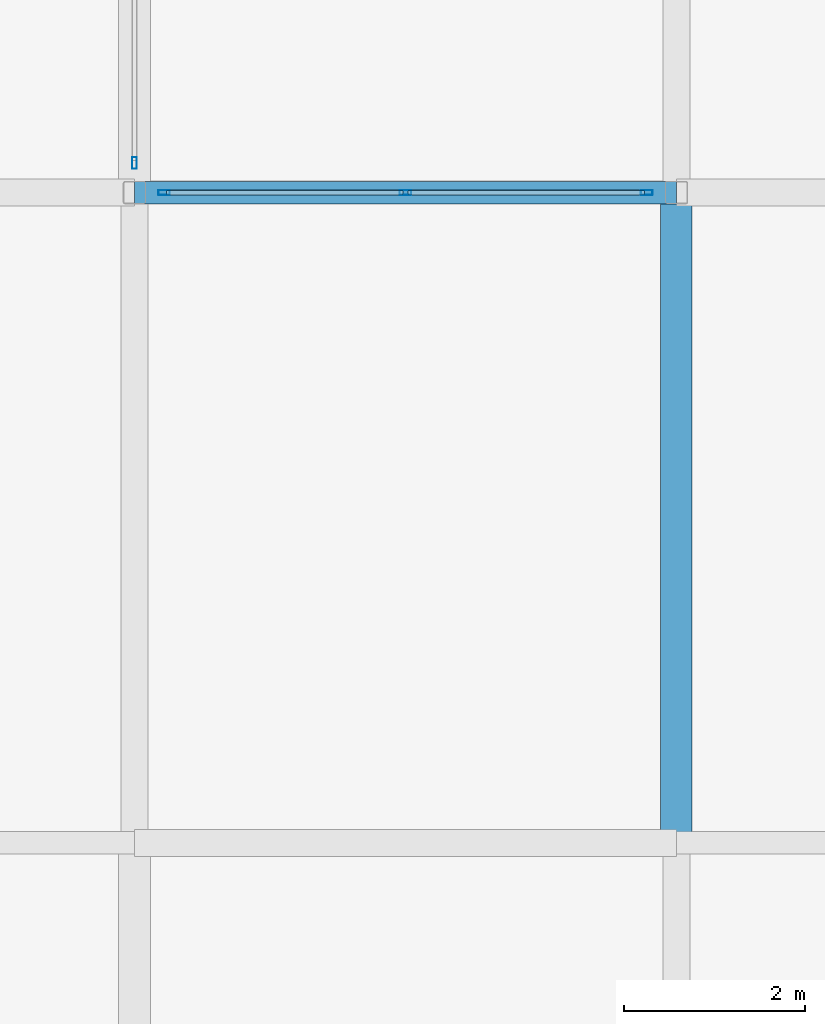
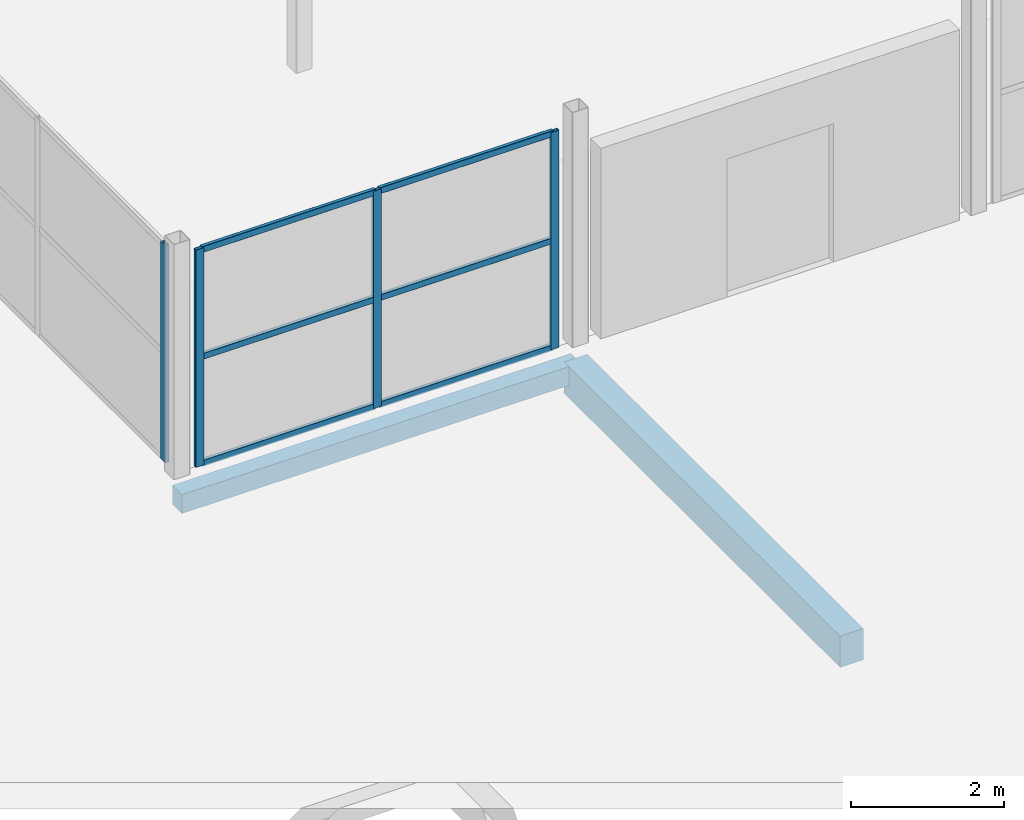
# One storey, part 28 of 239: 10 members, 2 beams, 2 elements without a shape of their own.
"""IFC4 building model written with IfcOpenShell, lengths in metres."""

from ifc_helpers import new_model, si_unit, direction, frame, origin, origin_2d, place, context, subcontext, project, spatial, rectangle, hollow_rectangle, extrude, material, layer, layer_set, material_profile, profile_set, type_object, element, aggregate, save


model = new_model("IFC4")

# Units and contexts
model_context = context("Model", 3, precision=1e-05, world=origin(), true_north=direction((0.0, 1.0)))
body_context = subcontext(model_context, "Body", "Model", "MODEL_VIEW")
ifc_project = project(units=[si_unit("LENGTHUNIT", "METRE"), si_unit("AREAUNIT", "SQUARE_METRE"), si_unit("VOLUMEUNIT", "CUBIC_METRE"), si_unit("PLANEANGLEUNIT", "RADIAN"), si_unit("MASSUNIT", "GRAM", prefix="KILO")], contexts=[model_context])

# Site, building, storey
site_placement = place(None, origin())
site = spatial("IfcSite", under=ifc_project, at=site_placement, CompositionType="ELEMENT")
building_placement = place(site_placement, origin())
building = spatial("IfcBuilding", under=site, at=building_placement, Name="Dunvalen Ferry Terminal", CompositionType="ELEMENT")
storey_placement = place(building_placement, frame((0.0, 0.0, 9.840087890625)))
storey = spatial("IfcBuildingStorey", under=building, at=storey_placement, Name="L02", CompositionType="ELEMENT", Elevation=9.840087890625)

# Curtain wall, members
ifc_material_1 = material(Name="Anodised marine aluminium and solar-control glazing", Category="aluminium")
ifc_layer_1 = layer(ifc_material_1, 0.159912109375, Name="Anodised marine aluminium and solar-control glazing")
ifc_layer_set_1 = layer_set([ifc_layer_1], Name="Anodised marine aluminium and solar-control glazing")
curtain_wall_type_1 = type_object("IfcCurtainWallType", Name="ENV-CW-SYS-09", PredefinedType="NOTDEFINED", material=ifc_layer_set_1)
curtain_wall_1_placement = place(storey_placement, origin())
curtain_wall_1 = element("IfcCurtainWall", 1, at=curtain_wall_1_placement, inside=storey, type_object=curtain_wall_type_1, Name="L02 Curtain Wall CW-PAV-S-1", PredefinedType="NOTDEFINED")
ifc_material_2 = material(Name="Anodised marine aluminium EN AW-6063 T6", Category="aluminium")
ifc_material_profile_1 = material_profile(ifc_material_2, hollow_rectangle(XDim=0.054931640625, YDim=0.1298828125, WallThickness=0.003173828125, InnerFilletRadius=0.003173828125, OuterFilletRadius=0.00634765625, at=origin_2d()), Name="Anodised marine aluminium EN AW-6063 T6")
ifc_profile_set_1 = profile_set([ifc_material_profile_1], Name="Anodised marine aluminium EN AW-6063 T6")
member_type_1 = type_object("IfcMemberType", Name="ENV-CW-MUL-4", PredefinedType="MULLION", material=ifc_profile_set_1)
member_1_placement = place(storey_placement, frame((114.327392578125, 14.39990234375, 0.0), z_axis=(0.0, 0.0, 1.0), x_axis=(0.0, 1.0, 0.0)))
member_1 = element("IfcMember", 2, at=member_1_placement, type_object=member_type_1, Name="CW-09 mullion 1", PredefinedType="MULLION", context=body_context, shape_type="SweptSolid", body=[
    extrude(hollow_rectangle(XDim=0.054931640625, YDim=0.1298828125, WallThickness=0.003173828125, InnerFilletRadius=0.003173828125, OuterFilletRadius=0.00634765625, at=origin_2d()), origin(), (0.0, 0.0, 1.0), 3.4599609375),
])
member_2_placement = place(storey_placement, frame((117.0, 14.39990234375, 0.0), z_axis=(0.0, 0.0, 1.0), x_axis=(0.0, 1.0, 0.0)))
member_2 = element("IfcMember", 3, at=member_2_placement, type_object=member_type_1, Name="CW-09 mullion 2", PredefinedType="MULLION", context=body_context, shape_type="SweptSolid", body=[
    extrude(hollow_rectangle(XDim=0.054931640625, YDim=0.1298828125, WallThickness=0.003173828125, InnerFilletRadius=0.003173828125, OuterFilletRadius=0.00634765625, at=origin_2d()), origin(), (0.0, 0.0, 1.0), 3.4599609375),
])
member_3_placement = place(storey_placement, frame((119.672607421875, 14.39990234375, 0.0), z_axis=(0.0, 0.0, 1.0), x_axis=(0.0, 1.0, 0.0)))
member_3 = element("IfcMember", 4, at=member_3_placement, type_object=member_type_1, Name="CW-09 mullion 3", PredefinedType="MULLION", context=body_context, shape_type="SweptSolid", body=[
    extrude(hollow_rectangle(XDim=0.054931640625, YDim=0.1298828125, WallThickness=0.003173828125, InnerFilletRadius=0.003173828125, OuterFilletRadius=0.00634765625, at=origin_2d()), origin(), (0.0, 0.0, 1.0), 3.4599609375),
])

# Curtain wall, member
ifc_layer_2 = layer(ifc_material_1, 0.159912109375, Name="Anodised marine aluminium and solar-control glazing")
ifc_layer_set_2 = layer_set([ifc_layer_2], Name="Anodised marine aluminium and solar-control glazing")
curtain_wall_type_2 = type_object("IfcCurtainWallType", Name="ENV-CW-SYS-10", PredefinedType="NOTDEFINED", material=ifc_layer_set_2)
curtain_wall_2_placement = place(storey_placement, origin())
curtain_wall_2 = element("IfcCurtainWall", 5, at=curtain_wall_2_placement, inside=storey, type_object=curtain_wall_type_2, Name="L02 Curtain Wall CW-PAV-W-1", PredefinedType="NOTDEFINED")
member_4_placement = place(storey_placement, frame((114.0, 14.7275390625, 0.0), z_axis=(0.0, 0.0, 1.0), x_axis=(-1.0, 0.0, 0.0)))
member_4 = element("IfcMember", 6, at=member_4_placement, type_object=member_type_1, Name="CW-10 mullion 1", PredefinedType="MULLION", context=body_context, shape_type="SweptSolid", body=[
    extrude(hollow_rectangle(XDim=0.054931640625, YDim=0.1298828125, WallThickness=0.003173828125, InnerFilletRadius=0.003173828125, OuterFilletRadius=0.00634765625, at=origin_2d()), origin(), (0.0, 0.0, 1.0), 3.4599609375),
])
aggregate(curtain_wall_2, [member_4])

# Member
ifc_material_profile_2 = material_profile(ifc_material_2, hollow_rectangle(XDim=0.054931640625, YDim=0.10009765625, WallThickness=0.0029296875, InnerFilletRadius=0.0029296875, OuterFilletRadius=0.006103515625, at=origin_2d()), Name="Anodised marine aluminium EN AW-6063 T6")
ifc_profile_set_2 = profile_set([ifc_material_profile_2], Name="Anodised marine aluminium EN AW-6063 T6")
member_type_2 = type_object("IfcMemberType", Name="ENV-CW-TRN-4", PredefinedType="USERDEFINED", material=ifc_profile_set_2)
member_5_placement = place(storey_placement, frame((114.35498046875, 14.39990234375, 0.02734375), z_axis=(1.0, 0.0, 0.0), x_axis=(0.0, 1.0, 0.0)))
member_5 = element("IfcMember", 7, at=member_5_placement, type_object=member_type_2, Name="CW-09 transom 1.1", ObjectType="TRANSOM", PredefinedType="USERDEFINED", context=body_context, shape_type="SweptSolid", body=[
    extrude(hollow_rectangle(XDim=0.054931640625, YDim=0.10009765625, WallThickness=0.0029296875, InnerFilletRadius=0.0029296875, OuterFilletRadius=0.006103515625, at=origin_2d()), origin(), (0.0, 0.0, 1.0), 2.617431640625),
])

member_6_placement = place(storey_placement, frame((114.35498046875, 14.39990234375, 1.72998046875), z_axis=(1.0, 0.0, 0.0), x_axis=(0.0, 1.0, 0.0)))
member_6 = element("IfcMember", 8, at=member_6_placement, type_object=member_type_2, Name="CW-09 transom 1.2", ObjectType="TRANSOM", PredefinedType="USERDEFINED", context=body_context, shape_type="SweptSolid", body=[
    extrude(hollow_rectangle(XDim=0.054931640625, YDim=0.10009765625, WallThickness=0.0029296875, InnerFilletRadius=0.0029296875, OuterFilletRadius=0.006103515625, at=origin_2d()), origin(), (0.0, 0.0, 1.0), 2.617431640625),
])

member_7_placement = place(storey_placement, frame((114.35498046875, 14.39990234375, 3.432373046875), z_axis=(1.0, 0.0, 0.0), x_axis=(0.0, 1.0, 0.0)))
member_7 = element("IfcMember", 9, at=member_7_placement, type_object=member_type_2, Name="CW-09 transom 1.3", ObjectType="TRANSOM", PredefinedType="USERDEFINED", context=body_context, shape_type="SweptSolid", body=[
    extrude(hollow_rectangle(XDim=0.054931640625, YDim=0.10009765625, WallThickness=0.0029296875, InnerFilletRadius=0.0029296875, OuterFilletRadius=0.006103515625, at=origin_2d()), origin(), (0.0, 0.0, 1.0), 2.617431640625),
])

member_8_placement = place(storey_placement, frame((117.027587890625, 14.39990234375, 0.02734375), z_axis=(1.0, 0.0, 0.0), x_axis=(0.0, 1.0, 0.0)))
member_8 = element("IfcMember", 10, at=member_8_placement, type_object=member_type_2, Name="CW-09 transom 2.1", ObjectType="TRANSOM", PredefinedType="USERDEFINED", context=body_context, shape_type="SweptSolid", body=[
    extrude(hollow_rectangle(XDim=0.054931640625, YDim=0.10009765625, WallThickness=0.0029296875, InnerFilletRadius=0.0029296875, OuterFilletRadius=0.006103515625, at=origin_2d()), origin(), (0.0, 0.0, 1.0), 2.617431640625),
])

member_9_placement = place(storey_placement, frame((117.027587890625, 14.39990234375, 1.72998046875), z_axis=(1.0, 0.0, 0.0), x_axis=(0.0, 1.0, 0.0)))
member_9 = element("IfcMember", 11, at=member_9_placement, type_object=member_type_2, Name="CW-09 transom 2.2", ObjectType="TRANSOM", PredefinedType="USERDEFINED", context=body_context, shape_type="SweptSolid", body=[
    extrude(hollow_rectangle(XDim=0.054931640625, YDim=0.10009765625, WallThickness=0.0029296875, InnerFilletRadius=0.0029296875, OuterFilletRadius=0.006103515625, at=origin_2d()), origin(), (0.0, 0.0, 1.0), 2.617431640625),
])

member_10_placement = place(storey_placement, frame((117.027587890625, 14.39990234375, 3.432373046875), z_axis=(1.0, 0.0, 0.0), x_axis=(0.0, 1.0, 0.0)))
member_10 = element("IfcMember", 12, at=member_10_placement, type_object=member_type_2, Name="CW-09 transom 2.3", ObjectType="TRANSOM", PredefinedType="USERDEFINED", context=body_context, shape_type="SweptSolid", body=[
    extrude(hollow_rectangle(XDim=0.054931640625, YDim=0.10009765625, WallThickness=0.0029296875, InnerFilletRadius=0.0029296875, OuterFilletRadius=0.006103515625, at=origin_2d()), origin(), (0.0, 0.0, 1.0), 2.617431640625),
])

aggregate(curtain_wall_1, [member_1, member_2, member_3, member_5, member_6, member_7, member_8, member_9, member_10])

# Beams
ifc_material_3 = material(Name="Concrete C35/45", Category="concrete")
ifc_material_profile_3 = material_profile(ifc_material_3, rectangle(XDim=0.35009765625, YDim=0.5, at=origin_2d()), Name="Concrete C35/45")
ifc_profile_set_3 = profile_set([ifc_material_profile_3], Name="Concrete C35/45")
beam_type_1 = type_object("IfcBeamType", Name="STR-BM-RCB500W", PredefinedType="JOIST", material=ifc_profile_set_3)
beam_1_placement = place(storey_placement, frame((120.0, 7.199951171875, -0.530029296875), z_axis=(0.0, 1.0, 0.0), x_axis=(-1.0, 0.0, 0.0)))
element("IfcBeam", 13, at=beam_1_placement, inside=storey, type_object=beam_type_1, Name="L02 V4 Primary Girder Y-075", PredefinedType="JOIST", context=body_context, shape_type="SweptSolid", body=[
    extrude(rectangle(XDim=0.35009765625, YDim=0.5, at=origin_2d()), origin(), (0.0, 0.0, 1.0), 7.199951171875),
])
ifc_material_profile_4 = material_profile(ifc_material_3, rectangle(XDim=0.25, YDim=0.300048828125, at=origin_2d()), Name="Concrete C35/45")
ifc_profile_set_4 = profile_set([ifc_material_profile_4], Name="Concrete C35/45")
beam_type_2 = type_object("IfcBeamType", Name="STR-BM-RCL300", PredefinedType="LINTEL", material=ifc_profile_set_4)
beam_2_placement = place(storey_placement, frame((114.0, 14.39990234375, -0.43017578125), z_axis=(1.0, 0.0, 0.0), x_axis=(0.0, 1.0, 0.0)))
element("IfcBeam", 14, at=beam_2_placement, inside=storey, type_object=beam_type_2, Name="L02 V4 Primary Beam X-019", PredefinedType="LINTEL", context=body_context, shape_type="SweptSolid", body=[
    extrude(rectangle(XDim=0.25, YDim=0.300048828125, at=origin_2d()), origin(), (0.0, 0.0, 1.0), 6.0),
])

save(model, "model.ifc")
